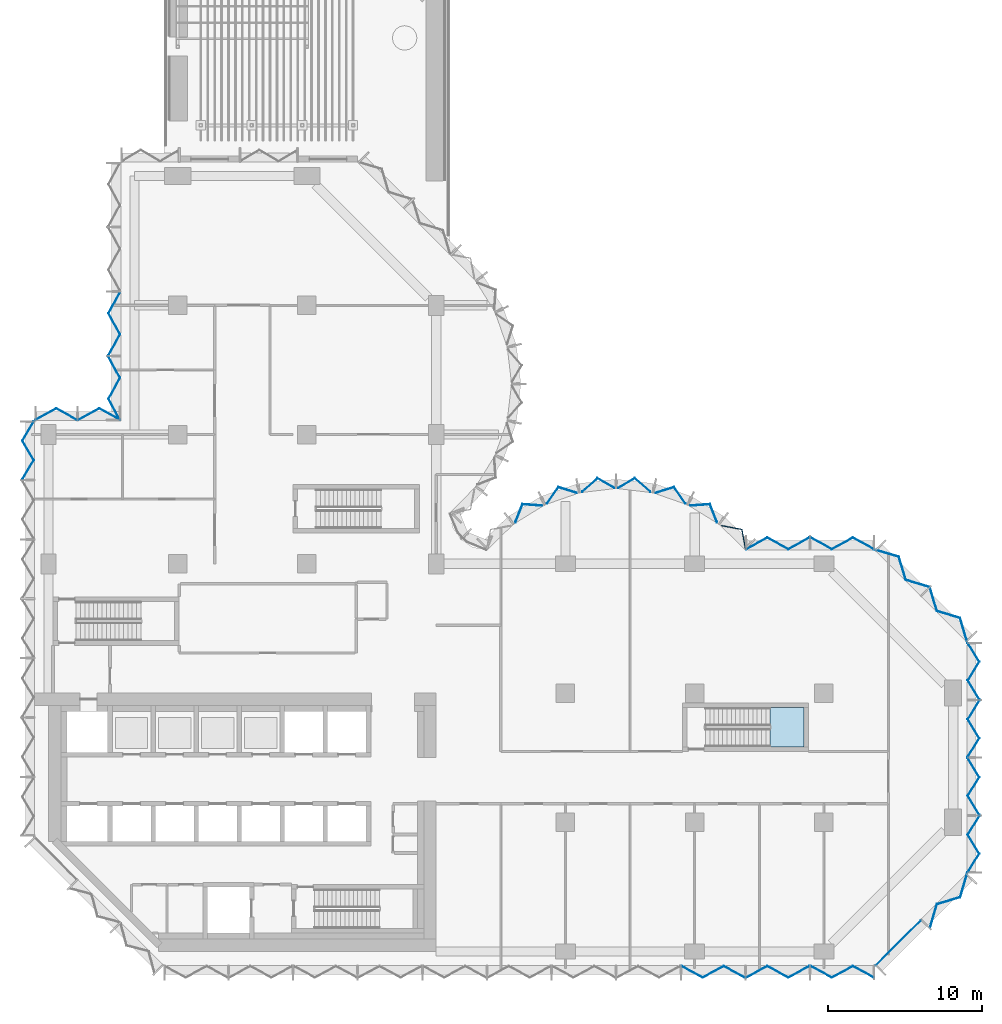
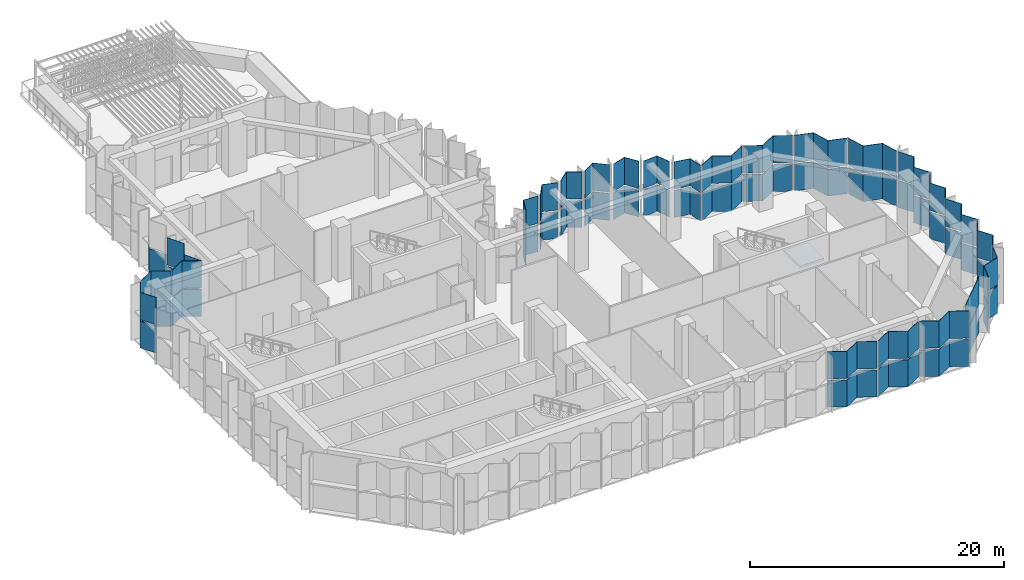
# One storey, part 6 of 15: 49 plates, 1 slab, 10 elements without a shape of their own.
"""IFC4 building model written with IfcOpenShell, lengths in metres."""

from ifc_helpers import new_model, si_unit, direction, frame, origin, place, context, subcontext, project, spatial, polyline, outline, extrude, material, layer, layer_set, type_object, element, aggregate, save


model = new_model("IFC4")

# Units and contexts
model_context = context("Model", 3, precision=1e-05, world=origin(), true_north=direction((0.0, 1.0)))
body_context = subcontext(model_context, "Body", "Model", "MODEL_VIEW")
ifc_project = project(units=[si_unit("LENGTHUNIT", "METRE"), si_unit("AREAUNIT", "SQUARE_METRE"), si_unit("VOLUMEUNIT", "CUBIC_METRE"), si_unit("PLANEANGLEUNIT", "RADIAN"), si_unit("MASSUNIT", "GRAM", prefix="KILO")], contexts=[model_context])

# Site, building, storey
site_placement = place(None, origin())
site = spatial("IfcSite", under=ifc_project, at=site_placement, CompositionType="ELEMENT")
building_placement = place(site_placement, origin())
building = spatial("IfcBuilding", under=site, at=building_placement, Name="Brevane Broadcast Tower", CompositionType="ELEMENT")
storey_placement = place(building_placement, frame((0.0, 0.0, 156.5)))
storey = spatial("IfcBuildingStorey", under=building, at=storey_placement, Name="L39", CompositionType="ELEMENT", Elevation=156.5)

# Curtain wall, plates
ifc_material_1 = material(Name="Aluminium 6063-T6 bronze anodised", Category="aluminium")
curtain_wall_type = type_object("IfcCurtainWallType", Name="CW-4 curtain wall", PredefinedType="NOTDEFINED", material=ifc_material_1)
curtain_wall_1_placement = place(storey_placement, origin())
curtain_wall_1 = element("IfcCurtainWall", 1, at=curtain_wall_1_placement, inside=storey, type_object=curtain_wall_type, Name="CW-4 sky lobby unit L39 south face", PredefinedType="NOTDEFINED")
ifc_material_2 = material(Name="Laminated glass bronze-tinted", Category="glass")
ifc_layer_1 = layer(ifc_material_2, 0.0400390625)
ifc_layer_set_1 = layer_set([ifc_layer_1], Name="CW glass panel 40")
plate_type = type_object("IfcPlateType", Name="CW glass panel 40", PredefinedType="CURTAIN_PANEL", material=ifc_layer_set_1)
plate_1_placement = place(storey_placement, frame((0.0, 0.0, -0.159912109375)))
plate_1 = element("IfcPlate", 2, at=plate_1_placement, type_object=plate_type, Name="CW-4 glass panel", PredefinedType="CURTAIN_PANEL", context=body_context, shape_type="SweptSolid", body=[
    extrude(outline(polyline([(41.14990234375, -0.92724609375), (41.14990234375, -0.972900390625), (42.5166015625, -1.71728515625), (43.88330078125, -0.972900390625), (45.25, -1.71728515625), (45.25, -1.671630859375), (43.88330078125, -0.92724609375), (42.5166015625, -1.671630859375), (41.14990234375, -0.92724609375)])), origin(), (0.0, 0.0, 1.0), 2.58984375),
])
plate_2_placement = place(storey_placement, frame((0.0, 0.0, 2.570068359375)))
plate_2 = element("IfcPlate", 3, at=plate_2_placement, type_object=plate_type, Name="CW-4 glass panel", PredefinedType="CURTAIN_PANEL", context=body_context, shape_type="SweptSolid", body=[
    extrude(outline(polyline([(41.14990234375, -0.92724609375), (41.14990234375, -0.972900390625), (42.5166015625, -1.71728515625), (43.88330078125, -0.972900390625), (45.25, -1.71728515625), (45.25, -1.671630859375), (43.88330078125, -0.92724609375), (42.5166015625, -1.671630859375), (41.14990234375, -0.92724609375)])), origin(), (0.0, 0.0, 1.0), 2.6298828125),
])
plate_3_placement = place(storey_placement, frame((0.0, 0.0, -0.159912109375)))
plate_3 = element("IfcPlate", 4, at=plate_3_placement, type_object=plate_type, Name="CW-4 glass panel", PredefinedType="CURTAIN_PANEL", context=body_context, shape_type="SweptSolid", body=[
    extrude(outline(polyline([(45.35009765625, -1.671630859375), (45.35009765625, -1.71728515625), (46.716796875, -0.972900390625), (48.083251953125, -1.71728515625), (49.449951171875, -0.972900390625), (49.449951171875, -0.92724609375), (48.083251953125, -1.671630859375), (46.716796875, -0.92724609375), (45.35009765625, -1.671630859375)])), origin(), (0.0, 0.0, 1.0), 2.58984375),
])
plate_4_placement = place(storey_placement, frame((0.0, 0.0, 2.570068359375)))
plate_4 = element("IfcPlate", 5, at=plate_4_placement, type_object=plate_type, Name="CW-4 glass panel", PredefinedType="CURTAIN_PANEL", context=body_context, shape_type="SweptSolid", body=[
    extrude(outline(polyline([(45.35009765625, -1.671630859375), (45.35009765625, -1.71728515625), (46.716796875, -0.972900390625), (48.083251953125, -1.71728515625), (49.449951171875, -0.972900390625), (49.449951171875, -0.92724609375), (48.083251953125, -1.671630859375), (46.716796875, -0.92724609375), (45.35009765625, -1.671630859375)])), origin(), (0.0, 0.0, 1.0), 2.6298828125),
])
plate_5_placement = place(storey_placement, frame((0.0, 0.0, -0.159912109375)))
plate_5 = element("IfcPlate", 6, at=plate_5_placement, type_object=plate_type, Name="CW-4 glass panel", PredefinedType="CURTAIN_PANEL", context=body_context, shape_type="SweptSolid", body=[
    extrude(outline(polyline([(49.550048828125, -0.92724609375), (49.550048828125, -0.972900390625), (50.916748046875, -1.71728515625), (52.283203125, -0.972900390625), (53.64990234375, -1.71728515625), (53.64990234375, -1.671630859375), (52.283203125, -0.92724609375), (50.916748046875, -1.671630859375), (49.550048828125, -0.92724609375)])), origin(), (0.0, 0.0, 1.0), 2.58984375),
])
plate_6_placement = place(storey_placement, frame((0.0, 0.0, 2.570068359375)))
plate_6 = element("IfcPlate", 7, at=plate_6_placement, type_object=plate_type, Name="CW-4 glass panel", PredefinedType="CURTAIN_PANEL", context=body_context, shape_type="SweptSolid", body=[
    extrude(outline(polyline([(49.550048828125, -0.92724609375), (49.550048828125, -0.972900390625), (50.916748046875, -1.71728515625), (52.283203125, -0.972900390625), (53.64990234375, -1.71728515625), (53.64990234375, -1.671630859375), (52.283203125, -0.92724609375), (50.916748046875, -1.671630859375), (49.550048828125, -0.92724609375)])), origin(), (0.0, 0.0, 1.0), 2.6298828125),
])
aggregate(curtain_wall_1, [plate_1, plate_2, plate_3, plate_4, plate_5, plate_6])

curtain_wall_2_placement = place(storey_placement, origin())
curtain_wall_2 = element("IfcCurtainWall", 8, at=curtain_wall_2_placement, inside=storey, type_object=curtain_wall_type, Name="CW-4 sky lobby unit L39 south-east chamfer", PredefinedType="NOTDEFINED")
plate_7_placement = place(storey_placement, frame((0.0, 0.0, -0.159912109375)))
plate_7 = element("IfcPlate", 9, at=plate_7_placement, type_object=plate_type, Name="CW-4 glass panel", PredefinedType="CURTAIN_PANEL", context=body_context, shape_type="SweptSolid", body=[
    extrude(outline(polyline([(53.756591796875, -0.885986328125), (56.685791015625, 2.04345703125), (56.714111328125, 2.01513671875), (53.784912109375, -0.9140625), (53.756591796875, -0.885986328125)])), origin(), (0.0, 0.0, 1.0), 2.58984375),
])
plate_8_placement = place(storey_placement, frame((0.0, 0.0, 2.570068359375)))
plate_8 = element("IfcPlate", 10, at=plate_8_placement, type_object=plate_type, Name="CW-4 glass panel", PredefinedType="CURTAIN_PANEL", context=body_context, shape_type="SweptSolid", body=[
    extrude(outline(polyline([(53.756591796875, -0.885986328125), (56.685791015625, 2.04345703125), (56.714111328125, 2.01513671875), (53.784912109375, -0.9140625), (53.756591796875, -0.885986328125)])), origin(), (0.0, 0.0, 1.0), 2.6298828125),
])
plate_9_placement = place(storey_placement, frame((0.0, 0.0, -0.159912109375)))
plate_9 = element("IfcPlate", 11, at=plate_9_placement, type_object=plate_type, Name="CW-4 glass panel", PredefinedType="CURTAIN_PANEL", context=body_context, shape_type="SweptSolid", body=[
    extrude(outline(polyline([(57.281005859375, 1.589599609375), (57.31298828125, 1.5576171875), (57.76318359375, 3.060302734375), (59.26611328125, 3.510498046875), (59.716064453125, 5.01318359375), (59.683837890625, 5.04541015625), (59.23388671875, 3.54248046875), (57.731201171875, 3.092529296875), (57.281005859375, 1.589599609375)])), origin(), (0.0, 0.0, 1.0), 2.58984375),
])
plate_10_placement = place(storey_placement, frame((0.0, 0.0, 2.570068359375)))
plate_10 = element("IfcPlate", 12, at=plate_10_placement, type_object=plate_type, Name="CW-4 glass panel", PredefinedType="CURTAIN_PANEL", context=body_context, shape_type="SweptSolid", body=[
    extrude(outline(polyline([(57.281005859375, 1.589599609375), (57.31298828125, 1.5576171875), (57.76318359375, 3.060302734375), (59.26611328125, 3.510498046875), (59.716064453125, 5.01318359375), (59.683837890625, 5.04541015625), (59.23388671875, 3.54248046875), (57.731201171875, 3.092529296875), (57.281005859375, 1.589599609375)])), origin(), (0.0, 0.0, 1.0), 2.6298828125),
])
aggregate(curtain_wall_2, [plate_7, plate_8, plate_9, plate_10])

curtain_wall_3_placement = place(storey_placement, origin())
curtain_wall_3 = element("IfcCurtainWall", 13, at=curtain_wall_3_placement, inside=storey, type_object=curtain_wall_type, Name="CW-4 sky lobby unit L39 east end", PredefinedType="NOTDEFINED")
plate_11_placement = place(storey_placement, frame((0.0, 0.0, -0.159912109375)))
plate_11 = element("IfcPlate", 14, at=plate_11_placement, type_object=plate_type, Name="CW-4 glass panel", PredefinedType="CURTAIN_PANEL", context=body_context, shape_type="SweptSolid", body=[
    extrude(outline(polyline([(59.7265625, 5.14990234375), (59.7734375, 5.14990234375), (60.517822265625, 6.36669921875), (59.7734375, 7.583251953125), (60.517822265625, 8.800048828125), (60.470947265625, 8.800048828125), (59.7265625, 7.583251953125), (60.470947265625, 6.36669921875), (59.7265625, 5.14990234375)])), origin(), (0.0, 0.0, 1.0), 2.58984375),
])
plate_12_placement = place(storey_placement, frame((0.0, 0.0, 2.570068359375)))
plate_12 = element("IfcPlate", 15, at=plate_12_placement, type_object=plate_type, Name="CW-4 glass panel", PredefinedType="CURTAIN_PANEL", context=body_context, shape_type="SweptSolid", body=[
    extrude(outline(polyline([(59.7265625, 5.14990234375), (59.7734375, 5.14990234375), (60.517822265625, 6.36669921875), (59.7734375, 7.583251953125), (60.517822265625, 8.800048828125), (60.470947265625, 8.800048828125), (59.7265625, 7.583251953125), (60.470947265625, 6.36669921875), (59.7265625, 5.14990234375)])), origin(), (0.0, 0.0, 1.0), 2.6298828125),
])
plate_13_placement = place(storey_placement, frame((0.0, 0.0, -0.159912109375)))
plate_13 = element("IfcPlate", 16, at=plate_13_placement, type_object=plate_type, Name="CW-4 glass panel", PredefinedType="CURTAIN_PANEL", context=body_context, shape_type="SweptSolid", body=[
    extrude(outline(polyline([(60.470947265625, 8.89990234375), (60.517822265625, 8.89990234375), (59.7734375, 10.11669921875), (60.517822265625, 11.333251953125), (59.7734375, 12.550048828125), (59.7265625, 12.550048828125), (60.470947265625, 11.333251953125), (59.7265625, 10.11669921875), (60.470947265625, 8.89990234375)])), origin(), (0.0, 0.0, 1.0), 2.58984375),
])
plate_14_placement = place(storey_placement, frame((0.0, 0.0, 2.570068359375)))
plate_14 = element("IfcPlate", 17, at=plate_14_placement, type_object=plate_type, Name="CW-4 glass panel", PredefinedType="CURTAIN_PANEL", context=body_context, shape_type="SweptSolid", body=[
    extrude(outline(polyline([(60.470947265625, 8.89990234375), (60.517822265625, 8.89990234375), (59.7734375, 10.11669921875), (60.517822265625, 11.333251953125), (59.7734375, 12.550048828125), (59.7265625, 12.550048828125), (60.470947265625, 11.333251953125), (59.7265625, 10.11669921875), (60.470947265625, 8.89990234375)])), origin(), (0.0, 0.0, 1.0), 2.6298828125),
])
plate_15_placement = place(storey_placement, frame((0.0, 0.0, -0.159912109375)))
plate_15 = element("IfcPlate", 18, at=plate_15_placement, type_object=plate_type, Name="CW-4 glass panel", PredefinedType="CURTAIN_PANEL", context=body_context, shape_type="SweptSolid", body=[
    extrude(outline(polyline([(59.7265625, 12.64990234375), (59.7734375, 12.64990234375), (60.517822265625, 13.86669921875), (59.7734375, 15.083251953125), (60.517822265625, 16.300048828125), (60.470947265625, 16.300048828125), (59.7265625, 15.083251953125), (60.470947265625, 13.86669921875), (59.7265625, 12.64990234375)])), origin(), (0.0, 0.0, 1.0), 2.58984375),
])
plate_16_placement = place(storey_placement, frame((0.0, 0.0, 2.570068359375)))
plate_16 = element("IfcPlate", 19, at=plate_16_placement, type_object=plate_type, Name="CW-4 glass panel", PredefinedType="CURTAIN_PANEL", context=body_context, shape_type="SweptSolid", body=[
    extrude(outline(polyline([(59.7265625, 12.64990234375), (59.7734375, 12.64990234375), (60.517822265625, 13.86669921875), (59.7734375, 15.083251953125), (60.517822265625, 16.300048828125), (60.470947265625, 16.300048828125), (59.7265625, 15.083251953125), (60.470947265625, 13.86669921875), (59.7265625, 12.64990234375)])), origin(), (0.0, 0.0, 1.0), 2.6298828125),
])
plate_17_placement = place(storey_placement, frame((0.0, 0.0, -0.159912109375)))
plate_17 = element("IfcPlate", 20, at=plate_17_placement, type_object=plate_type, Name="CW-4 glass panel", PredefinedType="CURTAIN_PANEL", context=body_context, shape_type="SweptSolid", body=[
    extrude(outline(polyline([(60.470947265625, 16.39990234375), (60.517822265625, 16.39990234375), (59.7734375, 17.61669921875), (60.517822265625, 18.833251953125), (59.7734375, 20.050048828125), (59.7265625, 20.050048828125), (60.470947265625, 18.833251953125), (59.7265625, 17.61669921875), (60.470947265625, 16.39990234375)])), origin(), (0.0, 0.0, 1.0), 2.58984375),
])
plate_18_placement = place(storey_placement, frame((0.0, 0.0, 2.570068359375)))
plate_18 = element("IfcPlate", 21, at=plate_18_placement, type_object=plate_type, Name="CW-4 glass panel", PredefinedType="CURTAIN_PANEL", context=body_context, shape_type="SweptSolid", body=[
    extrude(outline(polyline([(60.470947265625, 16.39990234375), (60.517822265625, 16.39990234375), (59.7734375, 17.61669921875), (60.517822265625, 18.833251953125), (59.7734375, 20.050048828125), (59.7265625, 20.050048828125), (60.470947265625, 18.833251953125), (59.7265625, 17.61669921875), (60.470947265625, 16.39990234375)])), origin(), (0.0, 0.0, 1.0), 2.6298828125),
])
aggregate(curtain_wall_3, [plate_11, plate_12, plate_13, plate_14, plate_15, plate_16, plate_17, plate_18])

curtain_wall_4_placement = place(storey_placement, origin())
curtain_wall_4 = element("IfcCurtainWall", 22, at=curtain_wall_4_placement, inside=storey, type_object=curtain_wall_type, Name="CW-4 sky lobby unit L39 north-east chamfer", PredefinedType="NOTDEFINED")
plate_19_placement = place(storey_placement, frame((0.0, 0.0, -0.159912109375)))
plate_19 = element("IfcPlate", 23, at=plate_19_placement, type_object=plate_type, Name="CW-4 glass panel", PredefinedType="CURTAIN_PANEL", context=body_context, shape_type="SweptSolid", body=[
    extrude(outline(polyline([(59.683837890625, 20.154541015625), (59.716064453125, 20.186767578125), (59.26611328125, 21.689697265625), (57.76318359375, 22.1396484375), (57.31298828125, 23.642333984375), (57.281005859375, 23.6103515625), (57.731201171875, 22.107421875), (59.23388671875, 21.657470703125), (59.683837890625, 20.154541015625)])), origin(), (0.0, 0.0, 1.0), 2.58984375),
])
plate_20_placement = place(storey_placement, frame((0.0, 0.0, 2.570068359375)))
plate_20 = element("IfcPlate", 24, at=plate_20_placement, type_object=plate_type, Name="CW-4 glass panel", PredefinedType="CURTAIN_PANEL", context=body_context, shape_type="SweptSolid", body=[
    extrude(outline(polyline([(59.683837890625, 20.154541015625), (59.716064453125, 20.186767578125), (59.26611328125, 21.689697265625), (57.76318359375, 22.1396484375), (57.31298828125, 23.642333984375), (57.281005859375, 23.6103515625), (57.731201171875, 22.107421875), (59.23388671875, 21.657470703125), (59.683837890625, 20.154541015625)])), origin(), (0.0, 0.0, 1.0), 2.6298828125),
])
plate_21_placement = place(storey_placement, frame((0.0, 0.0, -0.159912109375)))
plate_21 = element("IfcPlate", 25, at=plate_21_placement, type_object=plate_type, Name="CW-4 glass panel", PredefinedType="CURTAIN_PANEL", context=body_context, shape_type="SweptSolid", body=[
    extrude(outline(polyline([(57.210205078125, 23.680908203125), (57.242431640625, 23.713134765625), (55.739501953125, 24.1630859375), (55.28955078125, 25.666015625), (53.786865234375, 26.1162109375), (53.754638671875, 26.083984375), (55.25732421875, 25.6337890625), (55.70751953125, 24.131103515625), (57.210205078125, 23.680908203125)])), origin(), (0.0, 0.0, 1.0), 2.58984375),
])
plate_22_placement = place(storey_placement, frame((0.0, 0.0, 2.570068359375)))
plate_22 = element("IfcPlate", 26, at=plate_22_placement, type_object=plate_type, Name="CW-4 glass panel", PredefinedType="CURTAIN_PANEL", context=body_context, shape_type="SweptSolid", body=[
    extrude(outline(polyline([(57.210205078125, 23.680908203125), (57.242431640625, 23.713134765625), (55.739501953125, 24.1630859375), (55.28955078125, 25.666015625), (53.786865234375, 26.1162109375), (53.754638671875, 26.083984375), (55.25732421875, 25.6337890625), (55.70751953125, 24.131103515625), (57.210205078125, 23.680908203125)])), origin(), (0.0, 0.0, 1.0), 2.6298828125),
])
aggregate(curtain_wall_4, [plate_19, plate_20, plate_21, plate_22])

curtain_wall_5_placement = place(storey_placement, origin())
curtain_wall_5 = element("IfcCurtainWall", 27, at=curtain_wall_5_placement, inside=storey, type_object=curtain_wall_type, Name="CW-4 sky lobby unit L39 east arm north face", PredefinedType="NOTDEFINED")
plate_23_placement = place(storey_placement, frame((0.0, 0.0, -0.159912109375)))
plate_23 = element("IfcPlate", 28, at=plate_23_placement, type_object=plate_type, Name="CW-4 glass panel", PredefinedType="CURTAIN_PANEL", context=body_context, shape_type="SweptSolid", body=[
    extrude(outline(polyline([(53.64990234375, 26.127197265625), (53.64990234375, 26.1728515625), (52.283203125, 26.917236328125), (50.916748046875, 26.1728515625), (49.550048828125, 26.917236328125), (49.550048828125, 26.87158203125), (50.916748046875, 26.127197265625), (52.283203125, 26.87158203125), (53.64990234375, 26.127197265625)])), origin(), (0.0, 0.0, 1.0), 2.58984375),
])
plate_24_placement = place(storey_placement, frame((0.0, 0.0, 2.570068359375)))
plate_24 = element("IfcPlate", 29, at=plate_24_placement, type_object=plate_type, Name="CW-4 glass panel", PredefinedType="CURTAIN_PANEL", context=body_context, shape_type="SweptSolid", body=[
    extrude(outline(polyline([(53.64990234375, 26.127197265625), (53.64990234375, 26.1728515625), (52.283203125, 26.917236328125), (50.916748046875, 26.1728515625), (49.550048828125, 26.917236328125), (49.550048828125, 26.87158203125), (50.916748046875, 26.127197265625), (52.283203125, 26.87158203125), (53.64990234375, 26.127197265625)])), origin(), (0.0, 0.0, 1.0), 2.6298828125),
])
plate_25_placement = place(storey_placement, frame((0.0, 0.0, -0.159912109375)))
plate_25 = element("IfcPlate", 30, at=plate_25_placement, type_object=plate_type, Name="CW-4 glass panel", PredefinedType="CURTAIN_PANEL", context=body_context, shape_type="SweptSolid", body=[
    extrude(outline(polyline([(49.449951171875, 26.87158203125), (49.449951171875, 26.917236328125), (48.083251953125, 26.1728515625), (46.716796875, 26.917236328125), (45.35009765625, 26.1728515625), (45.35009765625, 26.127197265625), (46.716796875, 26.87158203125), (48.083251953125, 26.127197265625), (49.449951171875, 26.87158203125)])), origin(), (0.0, 0.0, 1.0), 2.58984375),
])
plate_26_placement = place(storey_placement, frame((0.0, 0.0, 2.570068359375)))
plate_26 = element("IfcPlate", 31, at=plate_26_placement, type_object=plate_type, Name="CW-4 glass panel", PredefinedType="CURTAIN_PANEL", context=body_context, shape_type="SweptSolid", body=[
    extrude(outline(polyline([(49.449951171875, 26.87158203125), (49.449951171875, 26.917236328125), (48.083251953125, 26.1728515625), (46.716796875, 26.917236328125), (45.35009765625, 26.1728515625), (45.35009765625, 26.127197265625), (46.716796875, 26.87158203125), (48.083251953125, 26.127197265625), (49.449951171875, 26.87158203125)])), origin(), (0.0, 0.0, 1.0), 2.6298828125),
])
aggregate(curtain_wall_5, [plate_23, plate_24, plate_25, plate_26])

curtain_wall_6_placement = place(storey_placement, origin())
curtain_wall_6 = element("IfcCurtainWall", 32, at=curtain_wall_6_placement, inside=storey, type_object=curtain_wall_type, Name="CW-4 sky lobby unit L39 east bow", PredefinedType="NOTDEFINED")
plate_27_placement = place(storey_placement, frame((0.0, 0.0, -0.159912109375)))
plate_27 = element("IfcPlate", 33, at=plate_27_placement, type_object=plate_type, Name="CW-4 glass panel", PredefinedType="CURTAIN_PANEL", context=body_context, shape_type="SweptSolid", body=[
    extrude(outline(polyline([(45.283203125, 26.154296875), (45.3173828125, 26.189697265625), (45.086181640625, 27.447265625), (43.74951171875, 27.701171875), (43.7216796875, 27.66552734375), (45.052001953125, 27.4130859375), (45.283203125, 26.154296875)])), origin(), (0.0, 0.0, 1.0), 2.58984375),
])
plate_28_placement = place(storey_placement, frame((0.0, 0.0, 2.570068359375)))
plate_28 = element("IfcPlate", 34, at=plate_28_placement, type_object=plate_type, Name="CW-4 glass panel", PredefinedType="CURTAIN_PANEL", context=body_context, shape_type="SweptSolid", body=[
    extrude(outline(polyline([(45.283203125, 26.154296875), (45.3173828125, 26.189697265625), (45.086181640625, 27.447265625), (43.74951171875, 27.701171875), (43.7216796875, 27.66552734375), (45.052001953125, 27.4130859375), (45.283203125, 26.154296875)])), origin(), (0.0, 0.0, 1.0), 2.6298828125),
])
plate_29_placement = place(storey_placement, frame((0.0, 0.0, -0.159912109375)))
plate_29 = element("IfcPlate", 35, at=plate_29_placement, type_object=plate_type, Name="CW-4 glass panel", PredefinedType="CURTAIN_PANEL", context=body_context, shape_type="SweptSolid", body=[
    extrude(outline(polyline([(43.444091796875, 27.8837890625), (43.47265625, 27.920166015625), (43.00390625, 29.08935546875), (41.7236328125, 28.998779296875), (41.703857421875, 28.95751953125), (42.977783203125, 29.04736328125), (43.444091796875, 27.8837890625)])), origin(), (0.0, 0.0, 1.0), 2.58984375),
])
plate_30_placement = place(storey_placement, frame((0.0, 0.0, 2.570068359375)))
plate_30 = element("IfcPlate", 36, at=plate_30_placement, type_object=plate_type, Name="CW-4 glass panel", PredefinedType="CURTAIN_PANEL", context=body_context, shape_type="SweptSolid", body=[
    extrude(outline(polyline([(43.444091796875, 27.8837890625), (43.47265625, 27.920166015625), (43.00390625, 29.08935546875), (41.7236328125, 28.998779296875), (41.703857421875, 28.95751953125), (42.977783203125, 29.04736328125), (43.444091796875, 27.8837890625)])), origin(), (0.0, 0.0, 1.0), 2.6298828125),
])
plate_31_placement = place(storey_placement, frame((0.0, 0.0, -0.159912109375)))
plate_31 = element("IfcPlate", 37, at=plate_31_placement, type_object=plate_type, Name="CW-4 glass panel", PredefinedType="CURTAIN_PANEL", context=body_context, shape_type="SweptSolid", body=[
    extrude(outline(polyline([(41.385009765625, 29.109130859375), (41.40478515625, 29.150634765625), (40.66796875, 30.20166015625), (39.46484375, 29.82861328125), (39.45458984375, 29.78369140625), (40.65185546875, 30.15478515625), (41.385009765625, 29.109130859375)])), origin(), (0.0, 0.0, 1.0), 2.58984375),
])
plate_32_placement = place(storey_placement, frame((0.0, 0.0, 2.570068359375)))
plate_32 = element("IfcPlate", 38, at=plate_32_placement, type_object=plate_type, Name="CW-4 glass panel", PredefinedType="CURTAIN_PANEL", context=body_context, shape_type="SweptSolid", body=[
    extrude(outline(polyline([(41.385009765625, 29.109130859375), (41.40478515625, 29.150634765625), (40.66796875, 30.20166015625), (39.46484375, 29.82861328125), (39.45458984375, 29.78369140625), (40.65185546875, 30.15478515625), (41.385009765625, 29.109130859375)])), origin(), (0.0, 0.0, 1.0), 2.6298828125),
])
plate_33_placement = place(storey_placement, frame((0.0, 0.0, -0.159912109375)))
plate_33 = element("IfcPlate", 39, at=plate_33_placement, type_object=plate_type, Name="CW-4 glass panel", PredefinedType="CURTAIN_PANEL", context=body_context, shape_type="SweptSolid", body=[
    extrude(outline(polyline([(39.110107421875, 29.861328125), (39.120361328125, 29.905517578125), (38.116943359375, 30.779296875), (37.02294921875, 30.156982421875), (37.02294921875, 30.111083984375), (38.112060546875, 30.73046875), (39.110107421875, 29.861328125)])), origin(), (0.0, 0.0, 1.0), 2.58984375),
])
plate_34_placement = place(storey_placement, frame((0.0, 0.0, 2.570068359375)))
plate_34 = element("IfcPlate", 40, at=plate_34_placement, type_object=plate_type, Name="CW-4 glass panel", PredefinedType="CURTAIN_PANEL", context=body_context, shape_type="SweptSolid", body=[
    extrude(outline(polyline([(39.110107421875, 29.861328125), (39.120361328125, 29.905517578125), (38.116943359375, 30.779296875), (37.02294921875, 30.156982421875), (37.02294921875, 30.111083984375), (38.112060546875, 30.73046875), (39.110107421875, 29.861328125)])), origin(), (0.0, 0.0, 1.0), 2.6298828125),
])
plate_35_placement = place(storey_placement, frame((0.0, 0.0, -0.159912109375)))
plate_35 = element("IfcPlate", 41, at=plate_35_placement, type_object=plate_type, Name="CW-4 glass panel", PredefinedType="CURTAIN_PANEL", context=body_context, shape_type="SweptSolid", body=[
    extrude(outline(polyline([(36.777099609375, 30.111083984375), (36.777099609375, 30.156982421875), (35.68310546875, 30.779296875), (34.6796875, 29.905517578125), (34.68994140625, 29.861328125), (35.68798828125, 30.73046875), (36.777099609375, 30.111083984375)])), origin(), (0.0, 0.0, 1.0), 2.58984375),
])
plate_36_placement = place(storey_placement, frame((0.0, 0.0, 2.570068359375)))
plate_36 = element("IfcPlate", 42, at=plate_36_placement, type_object=plate_type, Name="CW-4 glass panel", PredefinedType="CURTAIN_PANEL", context=body_context, shape_type="SweptSolid", body=[
    extrude(outline(polyline([(36.777099609375, 30.111083984375), (36.777099609375, 30.156982421875), (35.68310546875, 30.779296875), (34.6796875, 29.905517578125), (34.68994140625, 29.861328125), (35.68798828125, 30.73046875), (36.777099609375, 30.111083984375)])), origin(), (0.0, 0.0, 1.0), 2.6298828125),
])
plate_37_placement = place(storey_placement, frame((0.0, 0.0, -0.159912109375)))
plate_37 = element("IfcPlate", 43, at=plate_37_placement, type_object=plate_type, Name="CW-4 glass panel", PredefinedType="CURTAIN_PANEL", context=body_context, shape_type="SweptSolid", body=[
    extrude(outline(polyline([(34.345458984375, 29.78369140625), (34.335205078125, 29.82861328125), (33.132080078125, 30.20166015625), (32.395263671875, 29.150634765625), (32.4150390625, 29.109130859375), (33.148193359375, 30.15478515625), (34.345458984375, 29.78369140625)])), origin(), (0.0, 0.0, 1.0), 2.58984375),
])
plate_38_placement = place(storey_placement, frame((0.0, 0.0, 2.570068359375)))
plate_38 = element("IfcPlate", 44, at=plate_38_placement, type_object=plate_type, Name="CW-4 glass panel", PredefinedType="CURTAIN_PANEL", context=body_context, shape_type="SweptSolid", body=[
    extrude(outline(polyline([(34.345458984375, 29.78369140625), (34.335205078125, 29.82861328125), (33.132080078125, 30.20166015625), (32.395263671875, 29.150634765625), (32.4150390625, 29.109130859375), (33.148193359375, 30.15478515625), (34.345458984375, 29.78369140625)])), origin(), (0.0, 0.0, 1.0), 2.6298828125),
])
plate_39_placement = place(storey_placement, frame((0.0, 0.0, -0.159912109375)))
plate_39 = element("IfcPlate", 45, at=plate_39_placement, type_object=plate_type, Name="CW-4 glass panel", PredefinedType="CURTAIN_PANEL", context=body_context, shape_type="SweptSolid", body=[
    extrude(outline(polyline([(32.09619140625, 28.95751953125), (32.076416015625, 28.998779296875), (30.7958984375, 29.08935546875), (30.327392578125, 27.920166015625), (30.355712890625, 27.8837890625), (30.822265625, 29.04736328125), (32.09619140625, 28.95751953125)])), origin(), (0.0, 0.0, 1.0), 2.58984375),
])
plate_40_placement = place(storey_placement, frame((0.0, 0.0, 2.570068359375)))
plate_40 = element("IfcPlate", 46, at=plate_40_placement, type_object=plate_type, Name="CW-4 glass panel", PredefinedType="CURTAIN_PANEL", context=body_context, shape_type="SweptSolid", body=[
    extrude(outline(polyline([(32.09619140625, 28.95751953125), (32.076416015625, 28.998779296875), (30.7958984375, 29.08935546875), (30.327392578125, 27.920166015625), (30.355712890625, 27.8837890625), (30.822265625, 29.04736328125), (32.09619140625, 28.95751953125)])), origin(), (0.0, 0.0, 1.0), 2.6298828125),
])
aggregate(curtain_wall_6, [plate_27, plate_28, plate_29, plate_30, plate_31, plate_32, plate_33, plate_34, plate_35, plate_36, plate_37, plate_38, plate_39, plate_40])

curtain_wall_7_placement = place(storey_placement, origin())
curtain_wall_7 = element("IfcCurtainWall", 47, at=curtain_wall_7_placement, inside=storey, type_object=curtain_wall_type, Name="CW-4 sky lobby unit L39 north wing west face, lower block", PredefinedType="NOTDEFINED")
plate_41_placement = place(storey_placement, frame((0.0, 0.0, -0.159912109375)))
plate_41 = element("IfcPlate", 48, at=plate_41_placement, type_object=plate_type, Name="CW-4 glass panel", PredefinedType="CURTAIN_PANEL", context=body_context, shape_type="SweptSolid", body=[
    extrude(outline(polyline([(4.6728515625, 42.85009765625), (4.627197265625, 42.85009765625), (3.8828125, 41.4833984375), (4.627197265625, 40.11669921875), (3.8828125, 38.75), (3.928466796875, 38.75), (4.6728515625, 40.11669921875), (3.928466796875, 41.4833984375), (4.6728515625, 42.85009765625)])), origin(), (0.0, 0.0, 1.0), 2.58984375),
])
plate_42_placement = place(storey_placement, frame((0.0, 0.0, -0.159912109375)))
plate_42 = element("IfcPlate", 49, at=plate_42_placement, type_object=plate_type, Name="CW-4 glass panel", PredefinedType="CURTAIN_PANEL", context=body_context, shape_type="SweptSolid", body=[
    extrude(outline(polyline([(3.928466796875, 38.64990234375), (3.8828125, 38.64990234375), (4.627197265625, 37.283203125), (3.8828125, 35.916748046875), (4.627197265625, 34.550048828125), (4.6728515625, 34.550048828125), (3.928466796875, 35.916748046875), (4.6728515625, 37.283203125), (3.928466796875, 38.64990234375)])), origin(), (0.0, 0.0, 1.0), 2.58984375),
])
plate_43_placement = place(storey_placement, frame((0.0, 0.0, 2.570068359375)))
plate_43 = element("IfcPlate", 50, at=plate_43_placement, type_object=plate_type, Name="CW-4 glass panel", PredefinedType="CURTAIN_PANEL", context=body_context, shape_type="SweptSolid", body=[
    extrude(outline(polyline([(3.928466796875, 38.64990234375), (3.8828125, 38.64990234375), (4.627197265625, 37.283203125), (3.8828125, 35.916748046875), (4.627197265625, 34.550048828125), (4.6728515625, 34.550048828125), (3.928466796875, 35.916748046875), (4.6728515625, 37.283203125), (3.928466796875, 38.64990234375)])), origin(), (0.0, 0.0, 1.0), 2.6298828125),
])
aggregate(curtain_wall_7, [plate_41, plate_42, plate_43])

curtain_wall_8_placement = place(storey_placement, origin())
curtain_wall_8 = element("IfcCurtainWall", 51, at=curtain_wall_8_placement, inside=storey, type_object=curtain_wall_type, Name="CW-4 sky lobby unit L39 north wing west return, lower block", PredefinedType="NOTDEFINED")
plate_44_placement = place(storey_placement, frame((0.0, 0.0, -0.159912109375)))
plate_44 = element("IfcPlate", 52, at=plate_44_placement, type_object=plate_type, Name="CW-4 glass panel", PredefinedType="CURTAIN_PANEL", context=body_context, shape_type="SweptSolid", body=[
    extrude(outline(polyline([(4.64990234375, 34.527099609375), (4.64990234375, 34.57275390625), (3.300048828125, 35.317138671875), (1.949951171875, 34.57275390625), (1.949951171875, 34.527099609375), (3.300048828125, 35.271484375), (4.64990234375, 34.527099609375)])), origin(), (0.0, 0.0, 1.0), 2.58984375),
])
plate_45_placement = place(storey_placement, frame((0.0, 0.0, 2.570068359375)))
plate_45 = element("IfcPlate", 53, at=plate_45_placement, type_object=plate_type, Name="CW-4 glass panel", PredefinedType="CURTAIN_PANEL", context=body_context, shape_type="SweptSolid", body=[
    extrude(outline(polyline([(4.64990234375, 34.527099609375), (4.64990234375, 34.57275390625), (3.300048828125, 35.317138671875), (1.949951171875, 34.57275390625), (1.949951171875, 34.527099609375), (3.300048828125, 35.271484375), (4.64990234375, 34.527099609375)])), origin(), (0.0, 0.0, 1.0), 2.6298828125),
])
plate_46_placement = place(storey_placement, frame((0.0, 0.0, -0.159912109375)))
plate_46 = element("IfcPlate", 54, at=plate_46_placement, type_object=plate_type, Name="CW-4 glass panel", PredefinedType="CURTAIN_PANEL", context=body_context, shape_type="SweptSolid", body=[
    extrude(outline(polyline([(1.85009765625, 34.527099609375), (1.85009765625, 34.57275390625), (0.5, 35.317138671875), (-0.85009765625, 34.57275390625), (-0.85009765625, 34.527099609375), (0.5, 35.271484375), (1.85009765625, 34.527099609375)])), origin(), (0.0, 0.0, 1.0), 2.58984375),
])
plate_47_placement = place(storey_placement, frame((0.0, 0.0, 2.570068359375)))
plate_47 = element("IfcPlate", 55, at=plate_47_placement, type_object=plate_type, Name="CW-4 glass panel", PredefinedType="CURTAIN_PANEL", context=body_context, shape_type="SweptSolid", body=[
    extrude(outline(polyline([(1.85009765625, 34.527099609375), (1.85009765625, 34.57275390625), (0.5, 35.317138671875), (-0.85009765625, 34.57275390625), (-0.85009765625, 34.527099609375), (0.5, 35.271484375), (1.85009765625, 34.527099609375)])), origin(), (0.0, 0.0, 1.0), 2.6298828125),
])
aggregate(curtain_wall_8, [plate_44, plate_45, plate_46, plate_47])

curtain_wall_9_placement = place(storey_placement, origin())
curtain_wall_9 = element("IfcCurtainWall", 56, at=curtain_wall_9_placement, inside=storey, type_object=curtain_wall_type, Name="CW-4 sky lobby unit L39 west face", PredefinedType="NOTDEFINED")
plate_48_placement = place(storey_placement, frame((0.0, 0.0, -0.159912109375)))
plate_48 = element("IfcPlate", 57, at=plate_48_placement, type_object=plate_type, Name="CW-4 glass panel", PredefinedType="CURTAIN_PANEL", context=body_context, shape_type="SweptSolid", body=[
    extrude(outline(polyline([(-0.9267578125, 34.449951171875), (-0.973388671875, 34.449951171875), (-1.7177734375, 33.197509765625), (-0.973388671875, 31.9453125), (-1.7177734375, 30.69287109375), (-1.671142578125, 30.69287109375), (-0.9267578125, 31.9453125), (-1.671142578125, 33.197509765625), (-0.9267578125, 34.449951171875)])), origin(), (0.0, 0.0, 1.0), 2.58984375),
])
plate_49_placement = place(storey_placement, frame((0.0, 0.0, 2.570068359375)))
plate_49 = element("IfcPlate", 58, at=plate_49_placement, type_object=plate_type, Name="CW-4 glass panel", PredefinedType="CURTAIN_PANEL", context=body_context, shape_type="SweptSolid", body=[
    extrude(outline(polyline([(-0.9267578125, 34.449951171875), (-0.973388671875, 34.449951171875), (-1.7177734375, 33.197509765625), (-0.973388671875, 31.9453125), (-1.7177734375, 30.69287109375), (-1.671142578125, 30.69287109375), (-0.9267578125, 31.9453125), (-1.671142578125, 33.197509765625), (-0.9267578125, 34.449951171875)])), origin(), (0.0, 0.0, 1.0), 2.6298828125),
])
aggregate(curtain_wall_9, [plate_48, plate_49])

# Stair, slab
ifc_material_3 = material(Name="Concrete C50/60", Category="concrete")
stair_type = type_object("IfcStairType", Name="Exit stair 32 risers", PredefinedType="HALF_TURN_STAIR", material=ifc_material_3)
stair_placement = place(storey_placement, origin())
stair = element("IfcStair", 59, at=stair_placement, inside=storey, type_object=stair_type, Name="L39 Exit stair ST-4", PredefinedType="HALF_TURN_STAIR")
ifc_layer_2 = layer(ifc_material_3, 0.199951171875)
ifc_layer_set_2 = layer_set([ifc_layer_2], Name="Exit stair landing")
slab_type = type_object("IfcSlabType", Name="Exit stair landing", PredefinedType="LANDING", material=ifc_layer_set_2)
slab_placement = place(storey_placement, frame((0.0, 0.0, 2.550048828125)))
slab = element("IfcSlab", 60, at=slab_placement, type_object=slab_type, Name="ST-4 landing 1", PredefinedType="LANDING", context=body_context, shape_type="SweptSolid", body=[
    extrude(outline(polyline([(46.89990234375, 13.300048828125), (49.10009765625, 13.300048828125), (49.10009765625, 15.85009765625), (46.89990234375, 15.85009765625), (46.89990234375, 13.300048828125)])), origin(), (0.0, 0.0, 1.0), 0.199951171875),
])
aggregate(stair, [slab])

save(model, "model.ifc")
